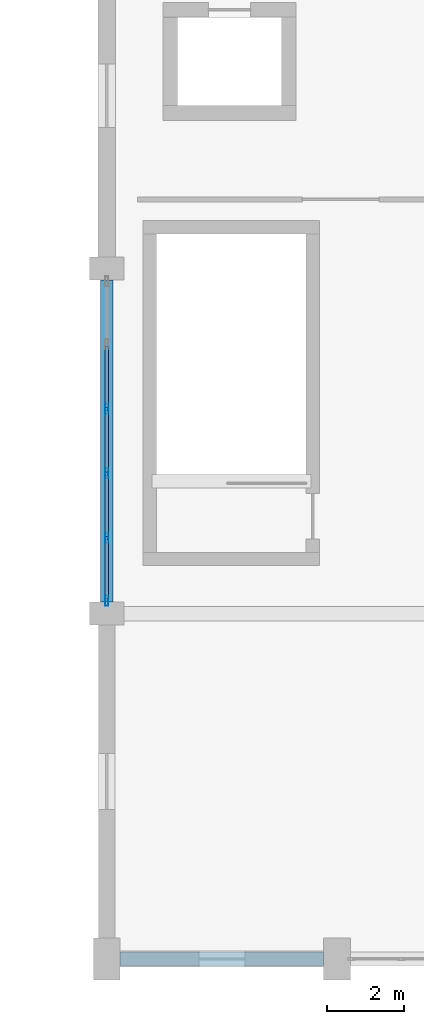
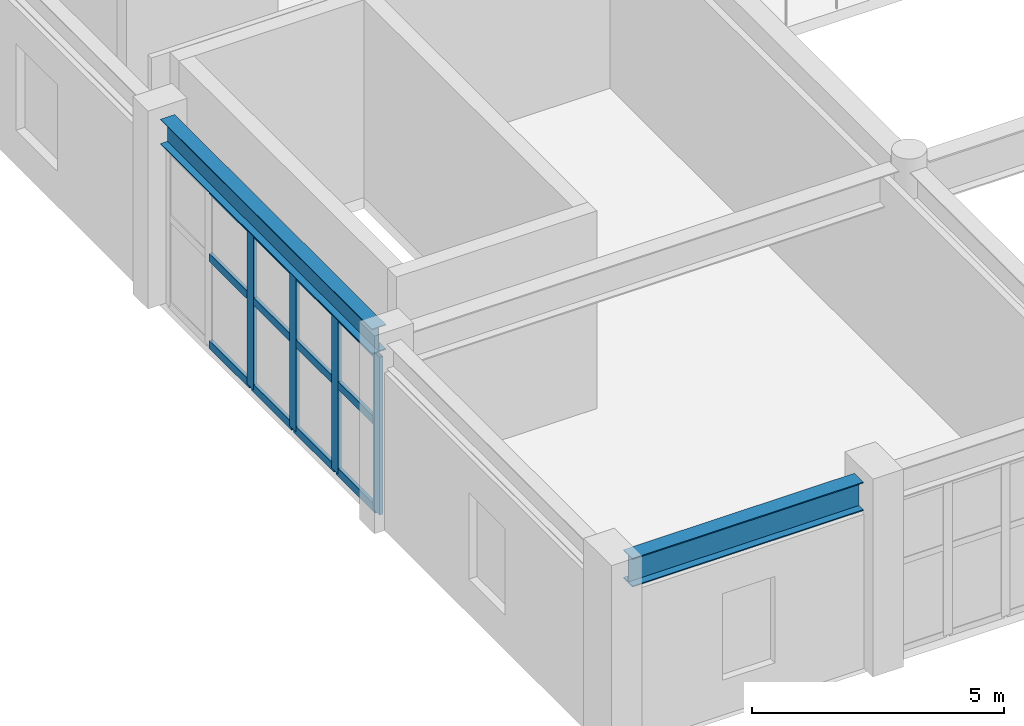
# One storey, part 3 of 80: 16 members, 2 beams, 1 element without a shape of its own.
"""IFC4 building model written with IfcOpenShell, lengths in metres."""

from ifc_helpers import new_model, si_unit, direction, frame, origin, origin_2d, place, context, subcontext, project, spatial, hollow_rectangle, i_section, extrude, material, layer, layer_set, material_profile, profile_set, type_object, element, aggregate, save


model = new_model("IFC4")

# Units and contexts
model_context = context("Model", 3, precision=1e-05, world=origin(), true_north=direction((0.0, 1.0)))
body_context = subcontext(model_context, "Body", "Model", "MODEL_VIEW")
ifc_project = project(units=[si_unit("LENGTHUNIT", "METRE"), si_unit("AREAUNIT", "SQUARE_METRE"), si_unit("VOLUMEUNIT", "CUBIC_METRE"), si_unit("PLANEANGLEUNIT", "RADIAN"), si_unit("MASSUNIT", "GRAM", prefix="KILO")], contexts=[model_context])

# Site, building, storey
site_placement = place(None, origin())
site = spatial("IfcSite", under=ifc_project, at=site_placement, CompositionType="ELEMENT")
building_placement = place(site_placement, origin())
building = spatial("IfcBuilding", under=site, at=building_placement, Name="Vaelkrest Opera House", CompositionType="ELEMENT")
storey_placement = place(building_placement, frame((0.0, 0.0, 15.0)))
storey = spatial("IfcBuildingStorey", under=building, at=storey_placement, Name="L03", CompositionType="ELEMENT", Elevation=15.0)

# Curtain wall, members
ifc_material_1 = material(Name="Dark bronze anodized aluminium", Category="aluminium")
ifc_layer = layer(ifc_material_1, 0.2099609375)
ifc_layer_set = layer_set([ifc_layer], Name="Dark bronze anodized aluminium")
curtain_wall_type = type_object("IfcCurtainWallType", Name="CW04", PredefinedType="NOTDEFINED", material=ifc_layer_set)
curtain_wall_placement = place(storey_placement, origin())
curtain_wall = element("IfcCurtainWall", 1, at=curtain_wall_placement, inside=storey, type_object=curtain_wall_type, Name="Curtain wall CW-L03-047", PredefinedType="NOTDEFINED")
ifc_material_profile_1 = material_profile(ifc_material_1, hollow_rectangle(XDim=0.080078125, YDim=0.260009765625, WallThickness=0.0048828125, at=origin_2d()), Name="CWM80X260")
ifc_profile_set_1 = profile_set([ifc_material_profile_1], Name="Dark bronze anodized aluminium")
member_type_1 = type_object("IfcMemberType", Name="CWM04", PredefinedType="MULLION", material=ifc_profile_set_1)
member_1_placement = place(storey_placement, frame((-30.0, -46.4619140625, 0.0), z_axis=(0.0, 0.0, 1.0), x_axis=(-1.0, 0.0, 0.0)))
member_1 = element("IfcMember", 2, at=member_1_placement, type_object=member_type_1, Name="CW04 mullion 1", PredefinedType="MULLION", context=body_context, shape_type="SweptSolid", body=[
    extrude(hollow_rectangle(XDim=0.080078125, YDim=0.260009765625, WallThickness=0.0048828125, at=origin_2d()), origin(), (0.0, 0.0, 1.0), 3.8291015625),
])
member_2_placement = place(storey_placement, frame((-30.0, -44.8212890625, 0.0), z_axis=(0.0, 0.0, 1.0), x_axis=(-1.0, 0.0, 0.0)))
member_2 = element("IfcMember", 3, at=member_2_placement, type_object=member_type_1, Name="CW04 mullion 2", PredefinedType="MULLION", context=body_context, shape_type="SweptSolid", body=[
    extrude(hollow_rectangle(XDim=0.080078125, YDim=0.260009765625, WallThickness=0.0048828125, at=origin_2d()), origin(), (0.0, 0.0, 1.0), 3.8291015625),
])
member_3_placement = place(storey_placement, frame((-30.0, -43.140380859375, 0.0), z_axis=(0.0, 0.0, 1.0), x_axis=(-1.0, 0.0, 0.0)))
member_3 = element("IfcMember", 4, at=member_3_placement, type_object=member_type_1, Name="CW04 mullion 3", PredefinedType="MULLION", context=body_context, shape_type="SweptSolid", body=[
    extrude(hollow_rectangle(XDim=0.080078125, YDim=0.260009765625, WallThickness=0.0048828125, at=origin_2d()), origin(), (0.0, 0.0, 1.0), 3.8291015625),
])
member_4_placement = place(storey_placement, frame((-30.0, -41.459716796875, 0.0), z_axis=(0.0, 0.0, 1.0), x_axis=(-1.0, 0.0, 0.0)))
member_4 = element("IfcMember", 5, at=member_4_placement, type_object=member_type_1, Name="CW04 mullion 4", PredefinedType="MULLION", context=body_context, shape_type="SweptSolid", body=[
    extrude(hollow_rectangle(XDim=0.080078125, YDim=0.260009765625, WallThickness=0.0048828125, at=origin_2d()), origin(), (0.0, 0.0, 1.0), 3.8291015625),
])
ifc_material_profile_2 = material_profile(ifc_material_1, hollow_rectangle(XDim=0.080078125, YDim=0.18994140625, WallThickness=0.0048828125, at=origin_2d()), Name="CWT80X190")
ifc_profile_set_2 = profile_set([ifc_material_profile_2], Name="Dark bronze anodized aluminium")
member_type_2 = type_object("IfcMemberType", Name="CWT04", PredefinedType="USERDEFINED", material=ifc_profile_set_2)
member_5_placement = place(storey_placement, frame((-30.0, -46.422119140625, 0.0400390625), z_axis=(0.0, 1.0, 0.0), x_axis=(-1.0, 0.0, 0.0)))
member_5 = element("IfcMember", 6, at=member_5_placement, type_object=member_type_2, Name="CW04 transom 1.1", ObjectType="TRANSOM", PredefinedType="USERDEFINED", context=body_context, shape_type="SweptSolid", body=[
    extrude(hollow_rectangle(XDim=0.080078125, YDim=0.18994140625, WallThickness=0.0048828125, at=origin_2d()), origin(), (0.0, 0.0, 1.0), 1.56103515625),
])
member_6_placement = place(storey_placement, frame((-30.0, -46.422119140625, 2.14990234375), z_axis=(0.0, 1.0, 0.0), x_axis=(-1.0, 0.0, 0.0)))
member_6 = element("IfcMember", 7, at=member_6_placement, type_object=member_type_2, Name="CW04 transom 1.2", ObjectType="TRANSOM", PredefinedType="USERDEFINED", context=body_context, shape_type="SweptSolid", body=[
    extrude(hollow_rectangle(XDim=0.080078125, YDim=0.18994140625, WallThickness=0.0048828125, at=origin_2d()), origin(), (0.0, 0.0, 1.0), 1.56103515625),
])
member_7_placement = place(storey_placement, frame((-30.0, -46.422119140625, 3.7890625), z_axis=(0.0, 1.0, 0.0), x_axis=(-1.0, 0.0, 0.0)))
member_7 = element("IfcMember", 8, at=member_7_placement, type_object=member_type_2, Name="CW04 transom 1.3", ObjectType="TRANSOM", PredefinedType="USERDEFINED", context=body_context, shape_type="SweptSolid", body=[
    extrude(hollow_rectangle(XDim=0.080078125, YDim=0.18994140625, WallThickness=0.0048828125, at=origin_2d()), origin(), (0.0, 0.0, 1.0), 1.56103515625),
])
member_8_placement = place(storey_placement, frame((-30.0, -44.78125, 0.0400390625), z_axis=(0.0, 1.0, 0.0), x_axis=(-1.0, 0.0, 0.0)))
member_8 = element("IfcMember", 9, at=member_8_placement, type_object=member_type_2, Name="CW04 transom 2.1", ObjectType="TRANSOM", PredefinedType="USERDEFINED", context=body_context, shape_type="SweptSolid", body=[
    extrude(hollow_rectangle(XDim=0.080078125, YDim=0.18994140625, WallThickness=0.0048828125, at=origin_2d()), origin(), (0.0, 0.0, 1.0), 1.600830078125),
])
member_9_placement = place(storey_placement, frame((-30.0, -44.78125, 2.14990234375), z_axis=(0.0, 1.0, 0.0), x_axis=(-1.0, 0.0, 0.0)))
member_9 = element("IfcMember", 10, at=member_9_placement, type_object=member_type_2, Name="CW04 transom 2.2", ObjectType="TRANSOM", PredefinedType="USERDEFINED", context=body_context, shape_type="SweptSolid", body=[
    extrude(hollow_rectangle(XDim=0.080078125, YDim=0.18994140625, WallThickness=0.0048828125, at=origin_2d()), origin(), (0.0, 0.0, 1.0), 1.600830078125),
])
member_10_placement = place(storey_placement, frame((-30.0, -44.78125, 3.7890625), z_axis=(0.0, 1.0, 0.0), x_axis=(-1.0, 0.0, 0.0)))
member_10 = element("IfcMember", 11, at=member_10_placement, type_object=member_type_2, Name="CW04 transom 2.3", ObjectType="TRANSOM", PredefinedType="USERDEFINED", context=body_context, shape_type="SweptSolid", body=[
    extrude(hollow_rectangle(XDim=0.080078125, YDim=0.18994140625, WallThickness=0.0048828125, at=origin_2d()), origin(), (0.0, 0.0, 1.0), 1.600830078125),
])
member_11_placement = place(storey_placement, frame((-30.0, -43.100341796875, 0.0400390625), z_axis=(0.0, 1.0, 0.0), x_axis=(-1.0, 0.0, 0.0)))
member_11 = element("IfcMember", 12, at=member_11_placement, type_object=member_type_2, Name="CW04 transom 3.1", ObjectType="TRANSOM", PredefinedType="USERDEFINED", context=body_context, shape_type="SweptSolid", body=[
    extrude(hollow_rectangle(XDim=0.080078125, YDim=0.18994140625, WallThickness=0.0048828125, at=origin_2d()), origin(), (0.0, 0.0, 1.0), 1.600830078125),
])
member_12_placement = place(storey_placement, frame((-30.0, -43.100341796875, 2.14990234375), z_axis=(0.0, 1.0, 0.0), x_axis=(-1.0, 0.0, 0.0)))
member_12 = element("IfcMember", 13, at=member_12_placement, type_object=member_type_2, Name="CW04 transom 3.2", ObjectType="TRANSOM", PredefinedType="USERDEFINED", context=body_context, shape_type="SweptSolid", body=[
    extrude(hollow_rectangle(XDim=0.080078125, YDim=0.18994140625, WallThickness=0.0048828125, at=origin_2d()), origin(), (0.0, 0.0, 1.0), 1.600830078125),
])
member_13_placement = place(storey_placement, frame((-30.0, -43.100341796875, 3.7890625), z_axis=(0.0, 1.0, 0.0), x_axis=(-1.0, 0.0, 0.0)))
member_13 = element("IfcMember", 14, at=member_13_placement, type_object=member_type_2, Name="CW04 transom 3.3", ObjectType="TRANSOM", PredefinedType="USERDEFINED", context=body_context, shape_type="SweptSolid", body=[
    extrude(hollow_rectangle(XDim=0.080078125, YDim=0.18994140625, WallThickness=0.0048828125, at=origin_2d()), origin(), (0.0, 0.0, 1.0), 1.600830078125),
])
member_14_placement = place(storey_placement, frame((-30.0, -41.419677734375, 0.0400390625), z_axis=(0.0, 1.0, 0.0), x_axis=(-1.0, 0.0, 0.0)))
member_14 = element("IfcMember", 15, at=member_14_placement, type_object=member_type_2, Name="CW04 transom 4.1", ObjectType="TRANSOM", PredefinedType="USERDEFINED", context=body_context, shape_type="SweptSolid", body=[
    extrude(hollow_rectangle(XDim=0.080078125, YDim=0.18994140625, WallThickness=0.0048828125, at=origin_2d()), origin(), (0.0, 0.0, 1.0), 1.600830078125),
])
member_15_placement = place(storey_placement, frame((-30.0, -41.419677734375, 2.14990234375), z_axis=(0.0, 1.0, 0.0), x_axis=(-1.0, 0.0, 0.0)))
member_15 = element("IfcMember", 16, at=member_15_placement, type_object=member_type_2, Name="CW04 transom 4.2", ObjectType="TRANSOM", PredefinedType="USERDEFINED", context=body_context, shape_type="SweptSolid", body=[
    extrude(hollow_rectangle(XDim=0.080078125, YDim=0.18994140625, WallThickness=0.0048828125, at=origin_2d()), origin(), (0.0, 0.0, 1.0), 1.600830078125),
])
member_16_placement = place(storey_placement, frame((-30.0, -41.419677734375, 3.7890625), z_axis=(0.0, 1.0, 0.0), x_axis=(-1.0, 0.0, 0.0)))
member_16 = element("IfcMember", 17, at=member_16_placement, type_object=member_type_2, Name="CW04 transom 4.3", ObjectType="TRANSOM", PredefinedType="USERDEFINED", context=body_context, shape_type="SweptSolid", body=[
    extrude(hollow_rectangle(XDim=0.080078125, YDim=0.18994140625, WallThickness=0.0048828125, at=origin_2d()), origin(), (0.0, 0.0, 1.0), 1.600830078125),
])
aggregate(curtain_wall, [member_1, member_2, member_3, member_4, member_5, member_6, member_7, member_8, member_9, member_10, member_11, member_12, member_13, member_14, member_15, member_16])

# Beams
ifc_material_2 = material(Name="Steel A992 Gr50", Category="steel")
ifc_material_profile_3 = material_profile(ifc_material_2, i_section(OverallWidth=0.323974609375, OverallDepth=0.611083984375, WebThickness=0.0126953125, FlangeThickness=0.01904296875, at=origin_2d()), Name="W24X104")
ifc_profile_set_3 = profile_set([ifc_material_profile_3], Name="Steel A992 Gr50")
beam_type_1 = type_object("IfcBeamType", Name="SP01", PredefinedType="SPANDREL", material=ifc_profile_set_3)
beam_1_placement = place(storey_placement, frame((-30.0, -46.5, 4.199462890625), z_axis=(0.0, 1.0, 0.0), x_axis=(-1.0, 0.0, 0.0)))
element("IfcBeam", 18, at=beam_1_placement, inside=storey, type_object=beam_type_1, Name="Beam BM-V1-L03-0474", PredefinedType="SPANDREL", context=body_context, shape_type="SweptSolid", body=[
    extrude(i_section(OverallWidth=0.323974609375, OverallDepth=0.611083984375, WebThickness=0.0126953125, FlangeThickness=0.01904296875, at=origin_2d()), origin(), (0.0, 0.0, 1.0), 8.39990234375),
])
ifc_material_profile_4 = material_profile(ifc_material_2, i_section(OverallWidth=0.35498046875, OverallDepth=0.695068359375, WebThickness=0.015380859375, FlangeThickness=0.02490234375, at=origin_2d()), Name="W27X146")
ifc_profile_set_4 = profile_set([ifc_material_profile_4], Name="Steel A992 Gr50")
beam_type_2 = type_object("IfcBeamType", Name="SP02", PredefinedType="SPANDREL", material=ifc_profile_set_4)
beam_2_placement = place(storey_placement, frame((-29.64990234375, -55.800048828125, 4.157470703125), z_axis=(1.0, 0.0, 0.0), x_axis=(0.0, 1.0, 0.0)))
element("IfcBeam", 19, at=beam_2_placement, inside=storey, type_object=beam_type_2, Name="Beam BM-V1-L03-0421", PredefinedType="SPANDREL", context=body_context, shape_type="SweptSolid", body=[
    extrude(i_section(OverallWidth=0.35498046875, OverallDepth=0.695068359375, WebThickness=0.015380859375, FlangeThickness=0.02490234375, at=origin_2d()), origin(), (0.0, 0.0, 1.0), 5.2998046875),
])

save(model, "model.ifc")
